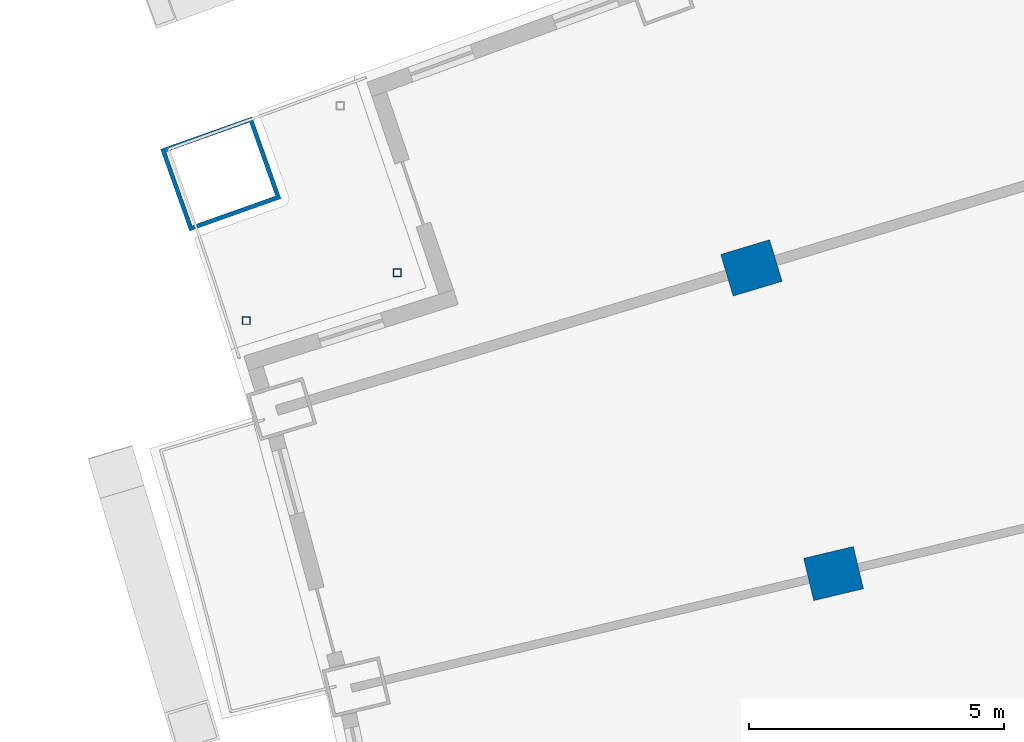
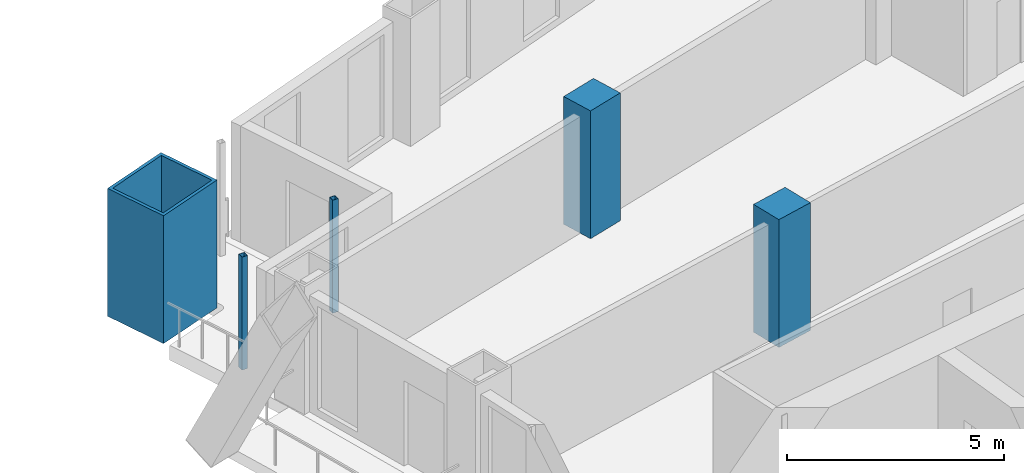
# One storey, part 7 of 25: 5 columns.
"""IFC4 building model written with IfcOpenShell, lengths in metres."""

from ifc_helpers import new_model, si_unit, direction, frame, origin, origin_2d, place, context, subcontext, project, spatial, rectangle, hollow_rectangle, extrude, material, material_profile, profile_set, type_object, element, save


model = new_model("IFC4")

# Units and contexts
model_context = context("Model", 3, precision=1e-05, world=origin(), true_north=direction((0.0, 1.0)))
body_context = subcontext(model_context, "Body", "Model", "MODEL_VIEW")
ifc_project = project(units=[si_unit("LENGTHUNIT", "METRE"), si_unit("AREAUNIT", "SQUARE_METRE"), si_unit("VOLUMEUNIT", "CUBIC_METRE"), si_unit("PLANEANGLEUNIT", "RADIAN"), si_unit("MASSUNIT", "GRAM", prefix="KILO")], contexts=[model_context])

# Site, building, storey
site_placement = place(None, origin())
site = spatial("IfcSite", under=ifc_project, at=site_placement, CompositionType="ELEMENT")
building_placement = place(site_placement, origin())
building = spatial("IfcBuilding", under=site, at=building_placement, Name="Alderwake Tower", CompositionType="ELEMENT")
storey_placement = place(building_placement, frame((0.0, 0.0, 93.199951171875)))
storey = spatial("IfcBuildingStorey", under=building, at=storey_placement, Name="L22", CompositionType="ELEMENT", Elevation=93.199951171875)

# Columns
ifc_material_1 = material(Name="Concrete C70/85", Category="concrete")
ifc_material_profile_1 = material_profile(ifc_material_1, rectangle(XDim=0.85009765625, YDim=1.0, at=origin_2d()), Name="RC 1000X850")
ifc_profile_set_1 = profile_set([ifc_material_profile_1], Name="Concrete C70/85")
column_type_1 = type_object("IfcColumnType", Name="Interior column Z2", PredefinedType="COLUMN", material=ifc_profile_set_1)
for number, where, z_axis, x_axis, name in (
    (1, (23.322021484375, 85.555908203125, 0.0), (0.0, 0.0, 1.0), (-0.231221547198, 0.972901123502, 0.0), "Column R11-C1"),
    (2, (21.714599609375, 91.53759765625, 0.0), (0.0, 0.0, 1.0), (-0.287549418125, 0.957765802342, 0.0), "Column R12-C1"),
):
    element("IfcColumn", number, at=place(storey_placement, frame(where, z_axis=z_axis, x_axis=x_axis)), inside=storey, type_object=column_type_1, Name=name, PredefinedType="COLUMN", context=body_context, shape_type="SweptSolid", body=[
        extrude(rectangle(XDim=0.85009765625, YDim=1.0, at=origin_2d()), origin(), (0.0, 0.0, 1.0), 3.60009765625),
    ])
ifc_material_2 = material(Name="Steel ASTM A500 Grade C", Category="steel")
ifc_material_profile_2 = material_profile(ifc_material_2, hollow_rectangle(XDim=0.15234375, YDim=0.15234375, WallThickness=0.0087890625, at=origin_2d()), Name="HSS6X6X3/8")
ifc_profile_set_2 = profile_set([ifc_material_profile_2], Name="Steel ASTM A500 Grade C")
column_type_2 = type_object("IfcColumnType", Name="Light post HSS6X6X3/8", PredefinedType="COLUMN", material=ifc_profile_set_2)
for number, where, z_axis, x_axis, name in (
    (3, (11.82568359375, 90.507080078125, 0.0), (0.0, 0.0, 1.0), (1.0, 0.0, 0.0), "Terrace post RN1"),
    (4, (14.781494140625, 91.441650390625, 0.0), (0.0, 0.0, 1.0), (1.0, 0.0, 0.0), "Terrace post RN3"),
):
    element("IfcColumn", number, at=place(storey_placement, frame(where, z_axis=z_axis, x_axis=x_axis)), inside=storey, type_object=column_type_2, Name=name, PredefinedType="COLUMN", context=body_context, shape_type="SweptSolid", body=[
        extrude(hollow_rectangle(XDim=0.15234375, YDim=0.15234375, WallThickness=0.0087890625, at=origin_2d()), origin(), (0.0, 0.0, 1.0), 3.179931640625),
    ])
ifc_material_3 = material(Name="Steel ASTM A572 Grade 50 concrete filled C70/85", Category="concrete")
ifc_material_profile_3 = material_profile(ifc_material_3, hollow_rectangle(XDim=1.699951171875, YDim=1.89990234375, WallThickness=0.0849609375, at=origin_2d()), Name="BOX 1900X1700X85")
ifc_profile_set_3 = profile_set([ifc_material_profile_3], Name="Steel ASTM A572 Grade 50 concrete filled C70/85")
column_type_3 = type_object("IfcColumnType", Name="Mega column Z2", PredefinedType="COLUMN", material=ifc_profile_set_3)
column_placement = place(storey_placement, frame((11.330810546875, 93.377197265625, 0.0), z_axis=(0.0, 0.0, 1.0), x_axis=(-0.334130947791, 0.942526662609, 0.0)))
element("IfcColumn", 5, at=column_placement, inside=storey, type_object=column_type_3, Name="Column R13-C0", PredefinedType="COLUMN", context=body_context, shape_type="SweptSolid", body=[
    extrude(hollow_rectangle(XDim=1.699951171875, YDim=1.89990234375, WallThickness=0.0849609375, at=origin_2d()), origin(), (0.0, 0.0, 1.0), 3.60009765625),
])

save(model, "model.ifc")
